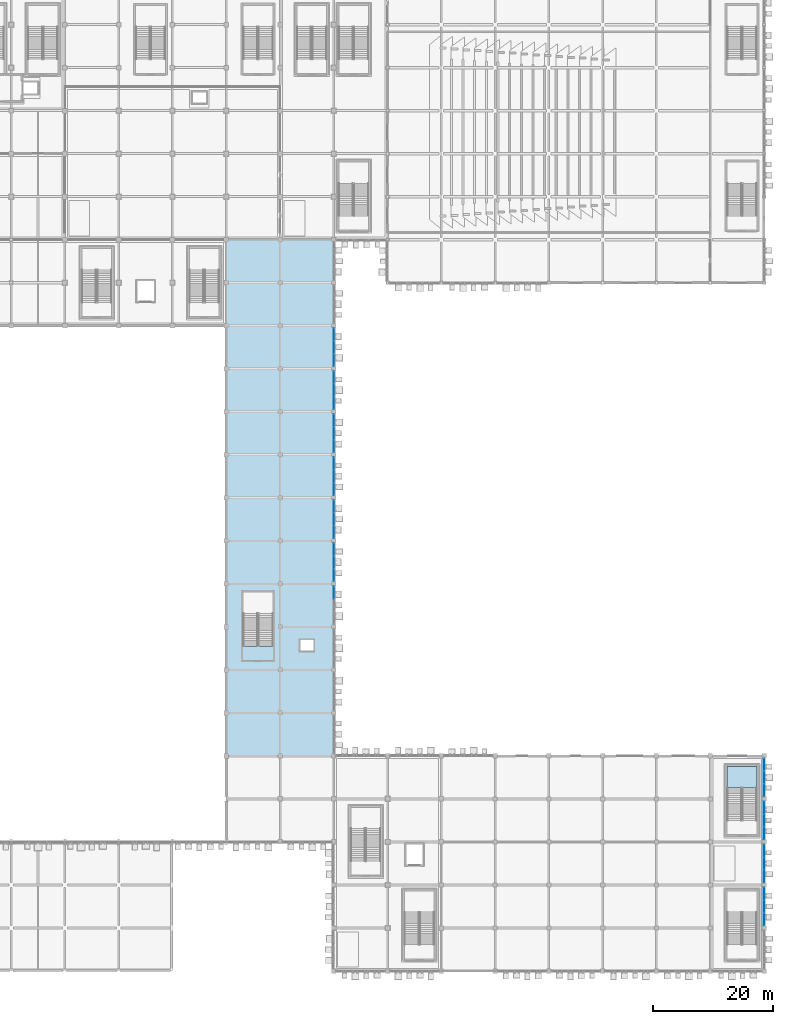
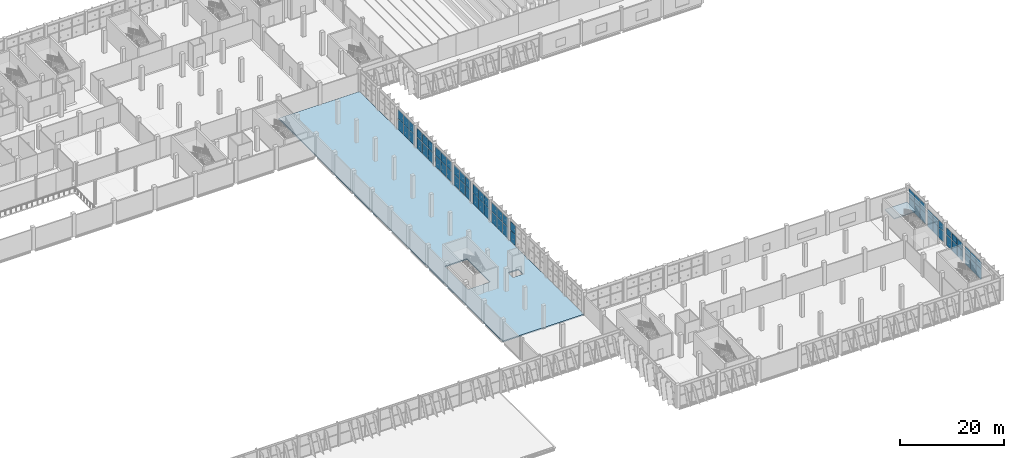
# One storey, part 117 of 189: 62 plates, 2 slabs, 12 elements without a shape of their own.
"""IFC4 building model written with IfcOpenShell, lengths in metres."""

from ifc_helpers import new_model, si_unit, direction, frame, origin, origin_2d, place, context, subcontext, project, spatial, polyline, rectangle, outline, extrude, material, layer, layer_set, type_object, element, aggregate, save


model = new_model("IFC4")

# Units and contexts
model_context = context("Model", 3, precision=1e-05, world=origin(), true_north=direction((0.0, 1.0)))
body_context = subcontext(model_context, "Body", "Model", "MODEL_VIEW")
ifc_project = project(units=[si_unit("LENGTHUNIT", "METRE"), si_unit("AREAUNIT", "SQUARE_METRE"), si_unit("VOLUMEUNIT", "CUBIC_METRE"), si_unit("PLANEANGLEUNIT", "RADIAN"), si_unit("MASSUNIT", "GRAM", prefix="KILO")], contexts=[model_context])

# Site, building, storey
site_placement = place(None, origin())
site = spatial("IfcSite", under=ifc_project, at=site_placement, CompositionType="ELEMENT")
building_placement = place(site_placement, origin())
building = spatial("IfcBuilding", under=site, at=building_placement, Name="Celestram Park Convention Centre", CompositionType="ELEMENT")
storey_placement = place(building_placement, frame((0.0, 0.0, 5.39990234375)))
storey = spatial("IfcBuildingStorey", under=building, at=storey_placement, Name="L01", CompositionType="ELEMENT", Elevation=5.39990234375)

# Curtain wall, plates
ifc_material_1 = material(Name="Anodised Aluminium Alloy 6063-T6", Category="aluminium")
ifc_layer_1 = layer(ifc_material_1, 0.179931640625)
ifc_layer_set_1 = layer_set([ifc_layer_1], Name="Anodised Aluminium Alloy 6063-T6")
curtain_wall_type_1 = type_object("IfcCurtainWallType", Name="ARC-CW-645X482", PredefinedType="NOTDEFINED", material=ifc_layer_set_1)
curtain_wall_1_placement = place(storey_placement, origin())
curtain_wall_1 = element("IfcCurtainWall", 1, at=curtain_wall_1_placement, inside=storey, type_object=curtain_wall_type_1, Name="Unitised curtain wall CU-L01-088", PredefinedType="NOTDEFINED")
ifc_material_2 = material(Name="Insulated Glazing Unit 28 mm", Category="glass")
ifc_layer_2 = layer(ifc_material_2, 0.028076171875)
ifc_layer_set_2 = layer_set([ifc_layer_2], Name="Insulated Glazing Unit 28 mm")
plate_type = type_object("IfcPlateType", Name="ARC-CWP-IGU28", PredefinedType="CURTAIN_PANEL", material=ifc_layer_set_2)
plate_1_placement = place(storey_placement, frame((144.0, 106.53515625, 0.06005859375), z_axis=(0.0, 0.0, 1.0), x_axis=(0.0, -1.0, 0.0)))
plate_1 = element("IfcPlate", 2, at=plate_1_placement, type_object=plate_type, Name="CW-64X48 panel 1.1", PredefinedType="CURTAIN_PANEL", context=body_context, shape_type="SweptSolid", body=[
    extrude(rectangle(XDim=2.053955078125, YDim=0.028076171875, at=origin_2d()), origin(), (0.0, 0.0, 1.0), 2.56005859375),
])
plate_2_placement = place(storey_placement, frame((144.0, 106.53515625, 2.68017578125), z_axis=(0.0, 0.0, 1.0), x_axis=(0.0, -1.0, 0.0)))
plate_2 = element("IfcPlate", 3, at=plate_2_placement, type_object=plate_type, Name="CW-64X48 panel 1.2", PredefinedType="CURTAIN_PANEL", context=body_context, shape_type="SweptSolid", body=[
    extrude(rectangle(XDim=2.053955078125, YDim=0.028076171875, at=origin_2d()), origin(), (0.0, 0.0, 1.0), 2.080078125),
])
plate_3_placement = place(storey_placement, frame((144.0, 104.39990234375, 0.06005859375), z_axis=(0.0, 0.0, 1.0), x_axis=(0.0, -1.0, 0.0)))
plate_3 = element("IfcPlate", 4, at=plate_3_placement, type_object=plate_type, Name="CW-64X48 panel 2.1", PredefinedType="CURTAIN_PANEL", context=body_context, shape_type="SweptSolid", body=[
    extrude(rectangle(XDim=2.08642578125, YDim=0.028076171875, at=origin_2d()), origin(), (0.0, 0.0, 1.0), 2.56005859375),
])
plate_4_placement = place(storey_placement, frame((144.0, 104.39990234375, 2.68017578125), z_axis=(0.0, 0.0, 1.0), x_axis=(0.0, -1.0, 0.0)))
plate_4 = element("IfcPlate", 5, at=plate_4_placement, type_object=plate_type, Name="CW-64X48 panel 2.2", PredefinedType="CURTAIN_PANEL", context=body_context, shape_type="SweptSolid", body=[
    extrude(rectangle(XDim=2.08642578125, YDim=0.028076171875, at=origin_2d()), origin(), (0.0, 0.0, 1.0), 2.080078125),
])
plate_5_placement = place(storey_placement, frame((144.0, 102.264892578125, 0.06005859375), z_axis=(0.0, 0.0, 1.0), x_axis=(0.0, -1.0, 0.0)))
plate_5 = element("IfcPlate", 6, at=plate_5_placement, type_object=plate_type, Name="CW-64X48 panel 3.1", PredefinedType="CURTAIN_PANEL", context=body_context, shape_type="SweptSolid", body=[
    extrude(rectangle(XDim=2.053955078125, YDim=0.028076171875, at=origin_2d()), origin(), (0.0, 0.0, 1.0), 2.56005859375),
])
plate_6_placement = place(storey_placement, frame((144.0, 102.264892578125, 2.68017578125), z_axis=(0.0, 0.0, 1.0), x_axis=(0.0, -1.0, 0.0)))
plate_6 = element("IfcPlate", 7, at=plate_6_placement, type_object=plate_type, Name="CW-64X48 panel 3.2", PredefinedType="CURTAIN_PANEL", context=body_context, shape_type="SweptSolid", body=[
    extrude(rectangle(XDim=2.053955078125, YDim=0.028076171875, at=origin_2d()), origin(), (0.0, 0.0, 1.0), 2.080078125),
])
aggregate(curtain_wall_1, [plate_1, plate_2, plate_3, plate_4, plate_5, plate_6])

curtain_wall_2_placement = place(storey_placement, origin())
curtain_wall_2 = element("IfcCurtainWall", 8, at=curtain_wall_2_placement, inside=storey, type_object=curtain_wall_type_1, Name="Unitised curtain wall CU-L01-089", PredefinedType="NOTDEFINED")
plate_7_placement = place(storey_placement, frame((144.0, 99.335205078125, 0.06005859375), z_axis=(0.0, 0.0, 1.0), x_axis=(0.0, -1.0, 0.0)))
plate_7 = element("IfcPlate", 9, at=plate_7_placement, type_object=plate_type, Name="CW-64X48 panel 1.1", PredefinedType="CURTAIN_PANEL", context=body_context, shape_type="SweptSolid", body=[
    extrude(rectangle(XDim=2.053955078125, YDim=0.028076171875, at=origin_2d()), origin(), (0.0, 0.0, 1.0), 2.56005859375),
])
plate_8_placement = place(storey_placement, frame((144.0, 99.335205078125, 2.68017578125), z_axis=(0.0, 0.0, 1.0), x_axis=(0.0, -1.0, 0.0)))
plate_8 = element("IfcPlate", 10, at=plate_8_placement, type_object=plate_type, Name="CW-64X48 panel 1.2", PredefinedType="CURTAIN_PANEL", context=body_context, shape_type="SweptSolid", body=[
    extrude(rectangle(XDim=2.053955078125, YDim=0.028076171875, at=origin_2d()), origin(), (0.0, 0.0, 1.0), 2.080078125),
])
plate_9_placement = place(storey_placement, frame((144.0, 97.199951171875, 0.06005859375), z_axis=(0.0, 0.0, 1.0), x_axis=(0.0, -1.0, 0.0)))
plate_9 = element("IfcPlate", 11, at=plate_9_placement, type_object=plate_type, Name="CW-64X48 panel 2.1", PredefinedType="CURTAIN_PANEL", context=body_context, shape_type="SweptSolid", body=[
    extrude(rectangle(XDim=2.08642578125, YDim=0.028076171875, at=origin_2d()), origin(), (0.0, 0.0, 1.0), 2.56005859375),
])
plate_10_placement = place(storey_placement, frame((144.0, 97.199951171875, 2.68017578125), z_axis=(0.0, 0.0, 1.0), x_axis=(0.0, -1.0, 0.0)))
plate_10 = element("IfcPlate", 12, at=plate_10_placement, type_object=plate_type, Name="CW-64X48 panel 2.2", PredefinedType="CURTAIN_PANEL", context=body_context, shape_type="SweptSolid", body=[
    extrude(rectangle(XDim=2.08642578125, YDim=0.028076171875, at=origin_2d()), origin(), (0.0, 0.0, 1.0), 2.080078125),
])
plate_11_placement = place(storey_placement, frame((144.0, 95.06494140625, 0.06005859375), z_axis=(0.0, 0.0, 1.0), x_axis=(0.0, -1.0, 0.0)))
plate_11 = element("IfcPlate", 13, at=plate_11_placement, type_object=plate_type, Name="CW-64X48 panel 3.1", PredefinedType="CURTAIN_PANEL", context=body_context, shape_type="SweptSolid", body=[
    extrude(rectangle(XDim=2.053955078125, YDim=0.028076171875, at=origin_2d()), origin(), (0.0, 0.0, 1.0), 2.56005859375),
])
plate_12_placement = place(storey_placement, frame((144.0, 95.06494140625, 2.68017578125), z_axis=(0.0, 0.0, 1.0), x_axis=(0.0, -1.0, 0.0)))
plate_12 = element("IfcPlate", 14, at=plate_12_placement, type_object=plate_type, Name="CW-64X48 panel 3.2", PredefinedType="CURTAIN_PANEL", context=body_context, shape_type="SweptSolid", body=[
    extrude(rectangle(XDim=2.053955078125, YDim=0.028076171875, at=origin_2d()), origin(), (0.0, 0.0, 1.0), 2.080078125),
])
aggregate(curtain_wall_2, [plate_7, plate_8, plate_9, plate_10, plate_11, plate_12])

curtain_wall_3_placement = place(storey_placement, origin())
curtain_wall_3 = element("IfcCurtainWall", 15, at=curtain_wall_3_placement, inside=storey, type_object=curtain_wall_type_1, Name="Unitised curtain wall CU-L01-090", PredefinedType="NOTDEFINED")
plate_13_placement = place(storey_placement, frame((144.0, 92.135009765625, 0.06005859375), z_axis=(0.0, 0.0, 1.0), x_axis=(0.0, -1.0, 0.0)))
plate_13 = element("IfcPlate", 16, at=plate_13_placement, type_object=plate_type, Name="CW-64X48 panel 1.1", PredefinedType="CURTAIN_PANEL", context=body_context, shape_type="SweptSolid", body=[
    extrude(rectangle(XDim=2.053955078125, YDim=0.028076171875, at=origin_2d()), origin(), (0.0, 0.0, 1.0), 2.56005859375),
])
plate_14_placement = place(storey_placement, frame((144.0, 92.135009765625, 2.68017578125), z_axis=(0.0, 0.0, 1.0), x_axis=(0.0, -1.0, 0.0)))
plate_14 = element("IfcPlate", 17, at=plate_14_placement, type_object=plate_type, Name="CW-64X48 panel 1.2", PredefinedType="CURTAIN_PANEL", context=body_context, shape_type="SweptSolid", body=[
    extrude(rectangle(XDim=2.053955078125, YDim=0.028076171875, at=origin_2d()), origin(), (0.0, 0.0, 1.0), 2.080078125),
])
plate_15_placement = place(storey_placement, frame((144.0, 90.0, 0.06005859375), z_axis=(0.0, 0.0, 1.0), x_axis=(0.0, -1.0, 0.0)))
plate_15 = element("IfcPlate", 18, at=plate_15_placement, type_object=plate_type, Name="CW-64X48 panel 2.1", PredefinedType="CURTAIN_PANEL", context=body_context, shape_type="SweptSolid", body=[
    extrude(rectangle(XDim=2.08642578125, YDim=0.028076171875, at=origin_2d()), origin(), (0.0, 0.0, 1.0), 2.56005859375),
])
plate_16_placement = place(storey_placement, frame((144.0, 90.0, 2.68017578125), z_axis=(0.0, 0.0, 1.0), x_axis=(0.0, -1.0, 0.0)))
plate_16 = element("IfcPlate", 19, at=plate_16_placement, type_object=plate_type, Name="CW-64X48 panel 2.2", PredefinedType="CURTAIN_PANEL", context=body_context, shape_type="SweptSolid", body=[
    extrude(rectangle(XDim=2.08642578125, YDim=0.028076171875, at=origin_2d()), origin(), (0.0, 0.0, 1.0), 2.080078125),
])
plate_17_placement = place(storey_placement, frame((144.0, 87.864990234375, 0.06005859375), z_axis=(0.0, 0.0, 1.0), x_axis=(0.0, -1.0, 0.0)))
plate_17 = element("IfcPlate", 20, at=plate_17_placement, type_object=plate_type, Name="CW-64X48 panel 3.1", PredefinedType="CURTAIN_PANEL", context=body_context, shape_type="SweptSolid", body=[
    extrude(rectangle(XDim=2.053955078125, YDim=0.028076171875, at=origin_2d()), origin(), (0.0, 0.0, 1.0), 2.56005859375),
])
plate_18_placement = place(storey_placement, frame((144.0, 87.864990234375, 2.68017578125), z_axis=(0.0, 0.0, 1.0), x_axis=(0.0, -1.0, 0.0)))
plate_18 = element("IfcPlate", 21, at=plate_18_placement, type_object=plate_type, Name="CW-64X48 panel 3.2", PredefinedType="CURTAIN_PANEL", context=body_context, shape_type="SweptSolid", body=[
    extrude(rectangle(XDim=2.053955078125, YDim=0.028076171875, at=origin_2d()), origin(), (0.0, 0.0, 1.0), 2.080078125),
])
aggregate(curtain_wall_3, [plate_13, plate_14, plate_15, plate_16, plate_17, plate_18])

curtain_wall_4_placement = place(storey_placement, origin())
curtain_wall_4 = element("IfcCurtainWall", 22, at=curtain_wall_4_placement, inside=storey, type_object=curtain_wall_type_1, Name="Unitised curtain wall CU-L01-091", PredefinedType="NOTDEFINED")
plate_19_placement = place(storey_placement, frame((144.0, 84.93505859375, 0.06005859375), z_axis=(0.0, 0.0, 1.0), x_axis=(0.0, -1.0, 0.0)))
plate_19 = element("IfcPlate", 23, at=plate_19_placement, type_object=plate_type, Name="CW-64X48 panel 1.1", PredefinedType="CURTAIN_PANEL", context=body_context, shape_type="SweptSolid", body=[
    extrude(rectangle(XDim=2.053955078125, YDim=0.028076171875, at=origin_2d()), origin(), (0.0, 0.0, 1.0), 2.56005859375),
])
plate_20_placement = place(storey_placement, frame((144.0, 84.93505859375, 2.68017578125), z_axis=(0.0, 0.0, 1.0), x_axis=(0.0, -1.0, 0.0)))
plate_20 = element("IfcPlate", 24, at=plate_20_placement, type_object=plate_type, Name="CW-64X48 panel 1.2", PredefinedType="CURTAIN_PANEL", context=body_context, shape_type="SweptSolid", body=[
    extrude(rectangle(XDim=2.053955078125, YDim=0.028076171875, at=origin_2d()), origin(), (0.0, 0.0, 1.0), 2.080078125),
])
plate_21_placement = place(storey_placement, frame((144.0, 82.800048828125, 0.06005859375), z_axis=(0.0, 0.0, 1.0), x_axis=(0.0, -1.0, 0.0)))
plate_21 = element("IfcPlate", 25, at=plate_21_placement, type_object=plate_type, Name="CW-64X48 panel 2.1", PredefinedType="CURTAIN_PANEL", context=body_context, shape_type="SweptSolid", body=[
    extrude(rectangle(XDim=2.08642578125, YDim=0.028076171875, at=origin_2d()), origin(), (0.0, 0.0, 1.0), 2.56005859375),
])
plate_22_placement = place(storey_placement, frame((144.0, 82.800048828125, 2.68017578125), z_axis=(0.0, 0.0, 1.0), x_axis=(0.0, -1.0, 0.0)))
plate_22 = element("IfcPlate", 26, at=plate_22_placement, type_object=plate_type, Name="CW-64X48 panel 2.2", PredefinedType="CURTAIN_PANEL", context=body_context, shape_type="SweptSolid", body=[
    extrude(rectangle(XDim=2.08642578125, YDim=0.028076171875, at=origin_2d()), origin(), (0.0, 0.0, 1.0), 2.080078125),
])
plate_23_placement = place(storey_placement, frame((144.0, 80.664794921875, 0.06005859375), z_axis=(0.0, 0.0, 1.0), x_axis=(0.0, -1.0, 0.0)))
plate_23 = element("IfcPlate", 27, at=plate_23_placement, type_object=plate_type, Name="CW-64X48 panel 3.1", PredefinedType="CURTAIN_PANEL", context=body_context, shape_type="SweptSolid", body=[
    extrude(rectangle(XDim=2.053955078125, YDim=0.028076171875, at=origin_2d()), origin(), (0.0, 0.0, 1.0), 2.56005859375),
])
plate_24_placement = place(storey_placement, frame((144.0, 80.664794921875, 2.68017578125), z_axis=(0.0, 0.0, 1.0), x_axis=(0.0, -1.0, 0.0)))
plate_24 = element("IfcPlate", 28, at=plate_24_placement, type_object=plate_type, Name="CW-64X48 panel 3.2", PredefinedType="CURTAIN_PANEL", context=body_context, shape_type="SweptSolid", body=[
    extrude(rectangle(XDim=2.053955078125, YDim=0.028076171875, at=origin_2d()), origin(), (0.0, 0.0, 1.0), 2.080078125),
])
aggregate(curtain_wall_4, [plate_19, plate_20, plate_21, plate_22, plate_23, plate_24])

curtain_wall_5_placement = place(storey_placement, origin())
curtain_wall_5 = element("IfcCurtainWall", 29, at=curtain_wall_5_placement, inside=storey, type_object=curtain_wall_type_1, Name="Unitised curtain wall CU-L01-092", PredefinedType="NOTDEFINED")
plate_25_placement = place(storey_placement, frame((144.0, 77.735107421875, 0.06005859375), z_axis=(0.0, 0.0, 1.0), x_axis=(0.0, -1.0, 0.0)))
plate_25 = element("IfcPlate", 30, at=plate_25_placement, type_object=plate_type, Name="CW-64X48 panel 1.1", PredefinedType="CURTAIN_PANEL", context=body_context, shape_type="SweptSolid", body=[
    extrude(rectangle(XDim=2.053955078125, YDim=0.028076171875, at=origin_2d()), origin(), (0.0, 0.0, 1.0), 2.56005859375),
])
plate_26_placement = place(storey_placement, frame((144.0, 77.735107421875, 2.68017578125), z_axis=(0.0, 0.0, 1.0), x_axis=(0.0, -1.0, 0.0)))
plate_26 = element("IfcPlate", 31, at=plate_26_placement, type_object=plate_type, Name="CW-64X48 panel 1.2", PredefinedType="CURTAIN_PANEL", context=body_context, shape_type="SweptSolid", body=[
    extrude(rectangle(XDim=2.053955078125, YDim=0.028076171875, at=origin_2d()), origin(), (0.0, 0.0, 1.0), 2.080078125),
])
plate_27_placement = place(storey_placement, frame((144.0, 75.60009765625, 0.06005859375), z_axis=(0.0, 0.0, 1.0), x_axis=(0.0, -1.0, 0.0)))
plate_27 = element("IfcPlate", 32, at=plate_27_placement, type_object=plate_type, Name="CW-64X48 panel 2.1", PredefinedType="CURTAIN_PANEL", context=body_context, shape_type="SweptSolid", body=[
    extrude(rectangle(XDim=2.08642578125, YDim=0.028076171875, at=origin_2d()), origin(), (0.0, 0.0, 1.0), 2.56005859375),
])
plate_28_placement = place(storey_placement, frame((144.0, 75.60009765625, 2.68017578125), z_axis=(0.0, 0.0, 1.0), x_axis=(0.0, -1.0, 0.0)))
plate_28 = element("IfcPlate", 33, at=plate_28_placement, type_object=plate_type, Name="CW-64X48 panel 2.2", PredefinedType="CURTAIN_PANEL", context=body_context, shape_type="SweptSolid", body=[
    extrude(rectangle(XDim=2.08642578125, YDim=0.028076171875, at=origin_2d()), origin(), (0.0, 0.0, 1.0), 2.080078125),
])
plate_29_placement = place(storey_placement, frame((144.0, 73.46484375, 0.06005859375), z_axis=(0.0, 0.0, 1.0), x_axis=(0.0, -1.0, 0.0)))
plate_29 = element("IfcPlate", 34, at=plate_29_placement, type_object=plate_type, Name="CW-64X48 panel 3.1", PredefinedType="CURTAIN_PANEL", context=body_context, shape_type="SweptSolid", body=[
    extrude(rectangle(XDim=2.053955078125, YDim=0.028076171875, at=origin_2d()), origin(), (0.0, 0.0, 1.0), 2.56005859375),
])
plate_30_placement = place(storey_placement, frame((144.0, 73.46484375, 2.68017578125), z_axis=(0.0, 0.0, 1.0), x_axis=(0.0, -1.0, 0.0)))
plate_30 = element("IfcPlate", 35, at=plate_30_placement, type_object=plate_type, Name="CW-64X48 panel 3.2", PredefinedType="CURTAIN_PANEL", context=body_context, shape_type="SweptSolid", body=[
    extrude(rectangle(XDim=2.053955078125, YDim=0.028076171875, at=origin_2d()), origin(), (0.0, 0.0, 1.0), 2.080078125),
])
aggregate(curtain_wall_5, [plate_25, plate_26, plate_27, plate_28, plate_29, plate_30])

curtain_wall_6_placement = place(storey_placement, origin())
curtain_wall_6 = element("IfcCurtainWall", 36, at=curtain_wall_6_placement, inside=storey, type_object=curtain_wall_type_1, Name="Unitised curtain wall CU-L01-093", PredefinedType="NOTDEFINED")
plate_31_placement = place(storey_placement, frame((144.0, 70.53515625, 0.06005859375), z_axis=(0.0, 0.0, 1.0), x_axis=(0.0, -1.0, 0.0)))
plate_31 = element("IfcPlate", 37, at=plate_31_placement, type_object=plate_type, Name="CW-64X48 panel 1.1", PredefinedType="CURTAIN_PANEL", context=body_context, shape_type="SweptSolid", body=[
    extrude(rectangle(XDim=2.053955078125, YDim=0.028076171875, at=origin_2d()), origin(), (0.0, 0.0, 1.0), 2.56005859375),
])
plate_32_placement = place(storey_placement, frame((144.0, 70.53515625, 2.68017578125), z_axis=(0.0, 0.0, 1.0), x_axis=(0.0, -1.0, 0.0)))
plate_32 = element("IfcPlate", 38, at=plate_32_placement, type_object=plate_type, Name="CW-64X48 panel 1.2", PredefinedType="CURTAIN_PANEL", context=body_context, shape_type="SweptSolid", body=[
    extrude(rectangle(XDim=2.053955078125, YDim=0.028076171875, at=origin_2d()), origin(), (0.0, 0.0, 1.0), 2.080078125),
])
plate_33_placement = place(storey_placement, frame((144.0, 68.39990234375, 0.06005859375), z_axis=(0.0, 0.0, 1.0), x_axis=(0.0, -1.0, 0.0)))
plate_33 = element("IfcPlate", 39, at=plate_33_placement, type_object=plate_type, Name="CW-64X48 panel 2.1", PredefinedType="CURTAIN_PANEL", context=body_context, shape_type="SweptSolid", body=[
    extrude(rectangle(XDim=2.08642578125, YDim=0.028076171875, at=origin_2d()), origin(), (0.0, 0.0, 1.0), 2.56005859375),
])
plate_34_placement = place(storey_placement, frame((144.0, 68.39990234375, 2.68017578125), z_axis=(0.0, 0.0, 1.0), x_axis=(0.0, -1.0, 0.0)))
plate_34 = element("IfcPlate", 40, at=plate_34_placement, type_object=plate_type, Name="CW-64X48 panel 2.2", PredefinedType="CURTAIN_PANEL", context=body_context, shape_type="SweptSolid", body=[
    extrude(rectangle(XDim=2.08642578125, YDim=0.028076171875, at=origin_2d()), origin(), (0.0, 0.0, 1.0), 2.080078125),
])
plate_35_placement = place(storey_placement, frame((144.0, 66.264892578125, 0.06005859375), z_axis=(0.0, 0.0, 1.0), x_axis=(0.0, -1.0, 0.0)))
plate_35 = element("IfcPlate", 41, at=plate_35_placement, type_object=plate_type, Name="CW-64X48 panel 3.1", PredefinedType="CURTAIN_PANEL", context=body_context, shape_type="SweptSolid", body=[
    extrude(rectangle(XDim=2.053955078125, YDim=0.028076171875, at=origin_2d()), origin(), (0.0, 0.0, 1.0), 2.56005859375),
])
plate_36_placement = place(storey_placement, frame((144.0, 66.264892578125, 2.68017578125), z_axis=(0.0, 0.0, 1.0), x_axis=(0.0, -1.0, 0.0)))
plate_36 = element("IfcPlate", 42, at=plate_36_placement, type_object=plate_type, Name="CW-64X48 panel 3.2", PredefinedType="CURTAIN_PANEL", context=body_context, shape_type="SweptSolid", body=[
    extrude(rectangle(XDim=2.053955078125, YDim=0.028076171875, at=origin_2d()), origin(), (0.0, 0.0, 1.0), 2.080078125),
])
aggregate(curtain_wall_6, [plate_31, plate_32, plate_33, plate_34, plate_35, plate_36])

curtain_wall_7_placement = place(storey_placement, origin())
curtain_wall_7 = element("IfcCurtainWall", 43, at=curtain_wall_7_placement, inside=storey, type_object=curtain_wall_type_1, Name="Unitised curtain wall CU-L01-094", PredefinedType="NOTDEFINED")
plate_37_placement = place(storey_placement, frame((144.0, 63.335205078125, 0.06005859375), z_axis=(0.0, 0.0, 1.0), x_axis=(0.0, -1.0, 0.0)))
plate_37 = element("IfcPlate", 44, at=plate_37_placement, type_object=plate_type, Name="CW-64X48 panel 1.1", PredefinedType="CURTAIN_PANEL", context=body_context, shape_type="SweptSolid", body=[
    extrude(rectangle(XDim=2.053955078125, YDim=0.028076171875, at=origin_2d()), origin(), (0.0, 0.0, 1.0), 2.56005859375),
])
plate_38_placement = place(storey_placement, frame((144.0, 63.335205078125, 2.68017578125), z_axis=(0.0, 0.0, 1.0), x_axis=(0.0, -1.0, 0.0)))
plate_38 = element("IfcPlate", 45, at=plate_38_placement, type_object=plate_type, Name="CW-64X48 panel 1.2", PredefinedType="CURTAIN_PANEL", context=body_context, shape_type="SweptSolid", body=[
    extrude(rectangle(XDim=2.053955078125, YDim=0.028076171875, at=origin_2d()), origin(), (0.0, 0.0, 1.0), 2.080078125),
])
aggregate(curtain_wall_7, [plate_37, plate_38])

ifc_layer_3 = layer(ifc_material_1, 0.179931640625)
ifc_layer_set_3 = layer_set([ifc_layer_3], Name="Anodised Aluminium Alloy 6063-T6")
curtain_wall_type_2 = type_object("IfcCurtainWallType", Name="ARC-CW-645X476", PredefinedType="NOTDEFINED", material=ifc_layer_set_3)
curtain_wall_8_placement = place(storey_placement, origin())
curtain_wall_8 = element("IfcCurtainWall", 46, at=curtain_wall_8_placement, inside=storey, type_object=curtain_wall_type_2, Name="Unitised curtain wall CU-L01-101", PredefinedType="NOTDEFINED")
plate_39_placement = place(storey_placement, frame((216.0, 34.53515625, 0.06005859375), z_axis=(0.0, 0.0, 1.0), x_axis=(0.0, -1.0, 0.0)))
plate_39 = element("IfcPlate", 47, at=plate_39_placement, type_object=plate_type, Name="CW-64X47 panel 1.1", PredefinedType="CURTAIN_PANEL", context=body_context, shape_type="SweptSolid", body=[
    extrude(rectangle(XDim=2.053955078125, YDim=0.028076171875, at=origin_2d()), origin(), (0.0, 0.0, 1.0), 2.56005859375),
])
plate_40_placement = place(storey_placement, frame((216.0, 34.53515625, 2.68017578125), z_axis=(0.0, 0.0, 1.0), x_axis=(0.0, -1.0, 0.0)))
plate_40 = element("IfcPlate", 48, at=plate_40_placement, type_object=plate_type, Name="CW-64X47 panel 1.2", PredefinedType="CURTAIN_PANEL", context=body_context, shape_type="SweptSolid", body=[
    extrude(rectangle(XDim=2.053955078125, YDim=0.028076171875, at=origin_2d()), origin(), (0.0, 0.0, 1.0), 2.02392578125),
])
plate_41_placement = place(storey_placement, frame((216.0, 32.39990234375, 0.06005859375), z_axis=(0.0, 0.0, 1.0), x_axis=(0.0, -1.0, 0.0)))
plate_41 = element("IfcPlate", 49, at=plate_41_placement, type_object=plate_type, Name="CW-64X47 panel 2.1", PredefinedType="CURTAIN_PANEL", context=body_context, shape_type="SweptSolid", body=[
    extrude(rectangle(XDim=2.08642578125, YDim=0.028076171875, at=origin_2d()), origin(), (0.0, 0.0, 1.0), 2.56005859375),
])
plate_42_placement = place(storey_placement, frame((216.0, 32.39990234375, 2.68017578125), z_axis=(0.0, 0.0, 1.0), x_axis=(0.0, -1.0, 0.0)))
plate_42 = element("IfcPlate", 50, at=plate_42_placement, type_object=plate_type, Name="CW-64X47 panel 2.2", PredefinedType="CURTAIN_PANEL", context=body_context, shape_type="SweptSolid", body=[
    extrude(rectangle(XDim=2.08642578125, YDim=0.028076171875, at=origin_2d()), origin(), (0.0, 0.0, 1.0), 2.02392578125),
])
plate_43_placement = place(storey_placement, frame((216.0, 30.264892578125, 0.06005859375), z_axis=(0.0, 0.0, 1.0), x_axis=(0.0, -1.0, 0.0)))
plate_43 = element("IfcPlate", 51, at=plate_43_placement, type_object=plate_type, Name="CW-64X47 panel 3.1", PredefinedType="CURTAIN_PANEL", context=body_context, shape_type="SweptSolid", body=[
    extrude(rectangle(XDim=2.053955078125, YDim=0.028076171875, at=origin_2d()), origin(), (0.0, 0.0, 1.0), 2.56005859375),
])
plate_44_placement = place(storey_placement, frame((216.0, 30.264892578125, 2.68017578125), z_axis=(0.0, 0.0, 1.0), x_axis=(0.0, -1.0, 0.0)))
plate_44 = element("IfcPlate", 52, at=plate_44_placement, type_object=plate_type, Name="CW-64X47 panel 3.2", PredefinedType="CURTAIN_PANEL", context=body_context, shape_type="SweptSolid", body=[
    extrude(rectangle(XDim=2.053955078125, YDim=0.028076171875, at=origin_2d()), origin(), (0.0, 0.0, 1.0), 2.02392578125),
])
aggregate(curtain_wall_8, [plate_39, plate_40, plate_41, plate_42, plate_43, plate_44])

ifc_layer_4 = layer(ifc_material_1, 0.179931640625)
ifc_layer_set_4 = layer_set([ifc_layer_4], Name="Anodised Aluminium Alloy 6063-T6")
curtain_wall_type_3 = type_object("IfcCurtainWallType", Name="ARC-CW-645X426", PredefinedType="NOTDEFINED", material=ifc_layer_set_4)
curtain_wall_9_placement = place(storey_placement, origin())
curtain_wall_9 = element("IfcCurtainWall", 53, at=curtain_wall_9_placement, inside=storey, type_object=curtain_wall_type_3, Name="Unitised curtain wall CU-L01-102", PredefinedType="NOTDEFINED")
plate_45_placement = place(storey_placement, frame((216.0, 27.335205078125, 0.06005859375), z_axis=(0.0, 0.0, 1.0), x_axis=(0.0, -1.0, 0.0)))
plate_45 = element("IfcPlate", 54, at=plate_45_placement, type_object=plate_type, Name="CW-64X42 panel 1.1", PredefinedType="CURTAIN_PANEL", context=body_context, shape_type="SweptSolid", body=[
    extrude(rectangle(XDim=2.053955078125, YDim=0.028076171875, at=origin_2d()), origin(), (0.0, 0.0, 1.0), 2.468017578125),
])
plate_46_placement = place(storey_placement, frame((216.0, 27.335205078125, 2.587890625), z_axis=(0.0, 0.0, 1.0), x_axis=(0.0, -1.0, 0.0)))
plate_46 = element("IfcPlate", 55, at=plate_46_placement, type_object=plate_type, Name="CW-64X42 panel 1.2", PredefinedType="CURTAIN_PANEL", context=body_context, shape_type="SweptSolid", body=[
    extrude(rectangle(XDim=2.053955078125, YDim=0.028076171875, at=origin_2d()), origin(), (0.0, 0.0, 1.0), 1.615966796875),
])
plate_47_placement = place(storey_placement, frame((216.0, 25.199951171875, 0.06005859375), z_axis=(0.0, 0.0, 1.0), x_axis=(0.0, -1.0, 0.0)))
plate_47 = element("IfcPlate", 56, at=plate_47_placement, type_object=plate_type, Name="CW-64X42 panel 2.1", PredefinedType="CURTAIN_PANEL", context=body_context, shape_type="SweptSolid", body=[
    extrude(rectangle(XDim=2.08642578125, YDim=0.028076171875, at=origin_2d()), origin(), (0.0, 0.0, 1.0), 2.468017578125),
])
plate_48_placement = place(storey_placement, frame((216.0, 25.199951171875, 2.587890625), z_axis=(0.0, 0.0, 1.0), x_axis=(0.0, -1.0, 0.0)))
plate_48 = element("IfcPlate", 57, at=plate_48_placement, type_object=plate_type, Name="CW-64X42 panel 2.2", PredefinedType="CURTAIN_PANEL", context=body_context, shape_type="SweptSolid", body=[
    extrude(rectangle(XDim=2.08642578125, YDim=0.028076171875, at=origin_2d()), origin(), (0.0, 0.0, 1.0), 1.615966796875),
])
plate_49_placement = place(storey_placement, frame((216.0, 23.06494140625, 0.06005859375), z_axis=(0.0, 0.0, 1.0), x_axis=(0.0, -1.0, 0.0)))
plate_49 = element("IfcPlate", 58, at=plate_49_placement, type_object=plate_type, Name="CW-64X42 panel 3.1", PredefinedType="CURTAIN_PANEL", context=body_context, shape_type="SweptSolid", body=[
    extrude(rectangle(XDim=2.053955078125, YDim=0.028076171875, at=origin_2d()), origin(), (0.0, 0.0, 1.0), 2.468017578125),
])
plate_50_placement = place(storey_placement, frame((216.0, 23.06494140625, 2.587890625), z_axis=(0.0, 0.0, 1.0), x_axis=(0.0, -1.0, 0.0)))
plate_50 = element("IfcPlate", 59, at=plate_50_placement, type_object=plate_type, Name="CW-64X42 panel 3.2", PredefinedType="CURTAIN_PANEL", context=body_context, shape_type="SweptSolid", body=[
    extrude(rectangle(XDim=2.053955078125, YDim=0.028076171875, at=origin_2d()), origin(), (0.0, 0.0, 1.0), 1.615966796875),
])
aggregate(curtain_wall_9, [plate_45, plate_46, plate_47, plate_48, plate_49, plate_50])

curtain_wall_10_placement = place(storey_placement, origin())
curtain_wall_10 = element("IfcCurtainWall", 60, at=curtain_wall_10_placement, inside=storey, type_object=curtain_wall_type_3, Name="Unitised curtain wall CU-L01-103", PredefinedType="NOTDEFINED")
plate_51_placement = place(storey_placement, frame((216.0, 20.135009765625, 0.06005859375), z_axis=(0.0, 0.0, 1.0), x_axis=(0.0, -1.0, 0.0)))
plate_51 = element("IfcPlate", 61, at=plate_51_placement, type_object=plate_type, Name="CW-64X42 panel 1.1", PredefinedType="CURTAIN_PANEL", context=body_context, shape_type="SweptSolid", body=[
    extrude(rectangle(XDim=2.053955078125, YDim=0.028076171875, at=origin_2d()), origin(), (0.0, 0.0, 1.0), 2.468017578125),
])
plate_52_placement = place(storey_placement, frame((216.0, 20.135009765625, 2.587890625), z_axis=(0.0, 0.0, 1.0), x_axis=(0.0, -1.0, 0.0)))
plate_52 = element("IfcPlate", 62, at=plate_52_placement, type_object=plate_type, Name="CW-64X42 panel 1.2", PredefinedType="CURTAIN_PANEL", context=body_context, shape_type="SweptSolid", body=[
    extrude(rectangle(XDim=2.053955078125, YDim=0.028076171875, at=origin_2d()), origin(), (0.0, 0.0, 1.0), 1.615966796875),
])
plate_53_placement = place(storey_placement, frame((216.0, 18.0, 0.06005859375), z_axis=(0.0, 0.0, 1.0), x_axis=(0.0, -1.0, 0.0)))
plate_53 = element("IfcPlate", 63, at=plate_53_placement, type_object=plate_type, Name="CW-64X42 panel 2.1", PredefinedType="CURTAIN_PANEL", context=body_context, shape_type="SweptSolid", body=[
    extrude(rectangle(XDim=2.08642578125, YDim=0.028076171875, at=origin_2d()), origin(), (0.0, 0.0, 1.0), 2.468017578125),
])
plate_54_placement = place(storey_placement, frame((216.0, 18.0, 2.587890625), z_axis=(0.0, 0.0, 1.0), x_axis=(0.0, -1.0, 0.0)))
plate_54 = element("IfcPlate", 64, at=plate_54_placement, type_object=plate_type, Name="CW-64X42 panel 2.2", PredefinedType="CURTAIN_PANEL", context=body_context, shape_type="SweptSolid", body=[
    extrude(rectangle(XDim=2.08642578125, YDim=0.028076171875, at=origin_2d()), origin(), (0.0, 0.0, 1.0), 1.615966796875),
])
plate_55_placement = place(storey_placement, frame((216.0, 15.864990234375, 0.06005859375), z_axis=(0.0, 0.0, 1.0), x_axis=(0.0, -1.0, 0.0)))
plate_55 = element("IfcPlate", 65, at=plate_55_placement, type_object=plate_type, Name="CW-64X42 panel 3.1", PredefinedType="CURTAIN_PANEL", context=body_context, shape_type="SweptSolid", body=[
    extrude(rectangle(XDim=2.053955078125, YDim=0.028076171875, at=origin_2d()), origin(), (0.0, 0.0, 1.0), 2.468017578125),
])
plate_56_placement = place(storey_placement, frame((216.0, 15.864990234375, 2.587890625), z_axis=(0.0, 0.0, 1.0), x_axis=(0.0, -1.0, 0.0)))
plate_56 = element("IfcPlate", 66, at=plate_56_placement, type_object=plate_type, Name="CW-64X42 panel 3.2", PredefinedType="CURTAIN_PANEL", context=body_context, shape_type="SweptSolid", body=[
    extrude(rectangle(XDim=2.053955078125, YDim=0.028076171875, at=origin_2d()), origin(), (0.0, 0.0, 1.0), 1.615966796875),
])
aggregate(curtain_wall_10, [plate_51, plate_52, plate_53, plate_54, plate_55, plate_56])

curtain_wall_11_placement = place(storey_placement, origin())
curtain_wall_11 = element("IfcCurtainWall", 67, at=curtain_wall_11_placement, inside=storey, type_object=curtain_wall_type_3, Name="Unitised curtain wall CU-L01-104", PredefinedType="NOTDEFINED")
plate_57_placement = place(storey_placement, frame((216.0, 12.93505859375, 0.06005859375), z_axis=(0.0, 0.0, 1.0), x_axis=(0.0, -1.0, 0.0)))
plate_57 = element("IfcPlate", 68, at=plate_57_placement, type_object=plate_type, Name="CW-64X42 panel 1.1", PredefinedType="CURTAIN_PANEL", context=body_context, shape_type="SweptSolid", body=[
    extrude(rectangle(XDim=2.053955078125, YDim=0.028076171875, at=origin_2d()), origin(), (0.0, 0.0, 1.0), 2.468017578125),
])
plate_58_placement = place(storey_placement, frame((216.0, 12.93505859375, 2.587890625), z_axis=(0.0, 0.0, 1.0), x_axis=(0.0, -1.0, 0.0)))
plate_58 = element("IfcPlate", 69, at=plate_58_placement, type_object=plate_type, Name="CW-64X42 panel 1.2", PredefinedType="CURTAIN_PANEL", context=body_context, shape_type="SweptSolid", body=[
    extrude(rectangle(XDim=2.053955078125, YDim=0.028076171875, at=origin_2d()), origin(), (0.0, 0.0, 1.0), 1.615966796875),
])
plate_59_placement = place(storey_placement, frame((216.0, 10.800048828125, 0.06005859375), z_axis=(0.0, 0.0, 1.0), x_axis=(0.0, -1.0, 0.0)))
plate_59 = element("IfcPlate", 70, at=plate_59_placement, type_object=plate_type, Name="CW-64X42 panel 2.1", PredefinedType="CURTAIN_PANEL", context=body_context, shape_type="SweptSolid", body=[
    extrude(rectangle(XDim=2.08642578125, YDim=0.028076171875, at=origin_2d()), origin(), (0.0, 0.0, 1.0), 2.468017578125),
])
plate_60_placement = place(storey_placement, frame((216.0, 10.800048828125, 2.587890625), z_axis=(0.0, 0.0, 1.0), x_axis=(0.0, -1.0, 0.0)))
plate_60 = element("IfcPlate", 71, at=plate_60_placement, type_object=plate_type, Name="CW-64X42 panel 2.2", PredefinedType="CURTAIN_PANEL", context=body_context, shape_type="SweptSolid", body=[
    extrude(rectangle(XDim=2.08642578125, YDim=0.028076171875, at=origin_2d()), origin(), (0.0, 0.0, 1.0), 1.615966796875),
])
plate_61_placement = place(storey_placement, frame((216.0, 8.664794921875, 0.06005859375), z_axis=(0.0, 0.0, 1.0), x_axis=(0.0, -1.0, 0.0)))
plate_61 = element("IfcPlate", 72, at=plate_61_placement, type_object=plate_type, Name="CW-64X42 panel 3.1", PredefinedType="CURTAIN_PANEL", context=body_context, shape_type="SweptSolid", body=[
    extrude(rectangle(XDim=2.053955078125, YDim=0.028076171875, at=origin_2d()), origin(), (0.0, 0.0, 1.0), 2.468017578125),
])
plate_62_placement = place(storey_placement, frame((216.0, 8.664794921875, 2.587890625), z_axis=(0.0, 0.0, 1.0), x_axis=(0.0, -1.0, 0.0)))
plate_62 = element("IfcPlate", 73, at=plate_62_placement, type_object=plate_type, Name="CW-64X42 panel 3.2", PredefinedType="CURTAIN_PANEL", context=body_context, shape_type="SweptSolid", body=[
    extrude(rectangle(XDim=2.053955078125, YDim=0.028076171875, at=origin_2d()), origin(), (0.0, 0.0, 1.0), 1.615966796875),
])
aggregate(curtain_wall_11, [plate_57, plate_58, plate_59, plate_60, plate_61, plate_62])

# Slab
ifc_material_3 = material(Name="Concrete C35/45", Category="concrete")
ifc_layer_5 = layer(ifc_material_3, 0.280029296875)
ifc_layer_set_5 = layer_set([ifc_layer_5], Name="Concrete C35/45")
slab_type_1 = type_object("IfcSlabType", Name="STR-SLB-FLR280", PredefinedType="FLOOR", material=ifc_layer_set_5)
slab_1_placement = place(storey_placement, frame((0.0, 0.0, -0.27978515625)))
element("IfcSlab", 74, at=slab_1_placement, inside=storey, type_object=slab_type_1, Name="Floor slab L01-SPN", PredefinedType="FLOOR", context=body_context, shape_type="SweptSolid", body=[
    extrude(outline(polyline([(126.0, 36.0), (126.0, 122.39990234375), (144.0, 122.39990234375), (144.0, 36.0), (126.0, 36.0)]), holes=[polyline([(138.35009765625, 53.550048828125), (140.64990234375, 53.550048828125), (140.64990234375, 55.449951171875), (138.35009765625, 55.449951171875), (138.35009765625, 53.550048828125)]), polyline([(133.800048828125, 54.406005859375), (133.800048828125, 63.39990234375), (128.840087890625, 63.39990234375), (128.840087890625, 54.406005859375), (133.800048828125, 54.406005859375)])]), origin(), (0.0, 0.0, 1.0), 0.27978515625),
])

# Stair, slab
ifc_material_4 = material(Name="Precast Concrete C40/50", Category="concrete")
stair_type = type_object("IfcStairType", Name="ARC-STR-DOG54", PredefinedType="HALF_TURN_STAIR", material=ifc_material_4)
stair_placement = place(storey_placement, origin())
stair = element("IfcStair", 75, at=stair_placement, inside=storey, type_object=stair_type, Name="L01 Core S12 stair ST-12", PredefinedType="HALF_TURN_STAIR")
ifc_layer_6 = layer(ifc_material_3, 0.199951171875)
ifc_layer_set_6 = layer_set([ifc_layer_6], Name="Concrete C35/45")
slab_type_2 = type_object("IfcSlabType", Name="STR-SLB-LND200", PredefinedType="LANDING", material=ifc_layer_set_6)
slab_2_placement = place(storey_placement, frame((0.0, 0.0, 2.5)))
slab_2 = element("IfcSlab", 76, at=slab_2_placement, type_object=slab_type_2, Name="ST-12 landing 1", PredefinedType="LANDING", context=body_context, shape_type="SweptSolid", body=[
    extrude(outline(polyline([(214.800048828125, 30.634033203125), (214.800048828125, 34.199951171875), (209.840087890625, 34.199951171875), (209.840087890625, 30.634033203125), (214.800048828125, 30.634033203125)])), origin(), (0.0, 0.0, 1.0), 0.2001953125),
])
aggregate(stair, [slab_2])

save(model, "model.ifc")
